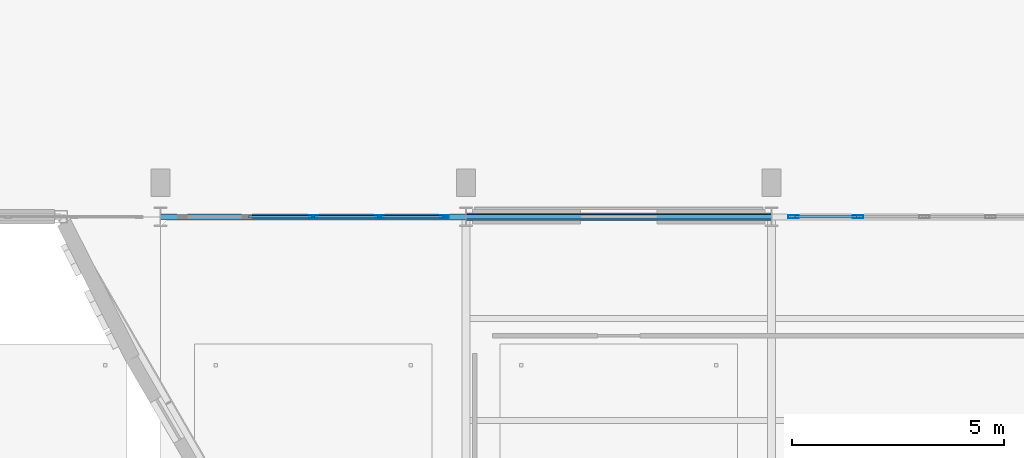
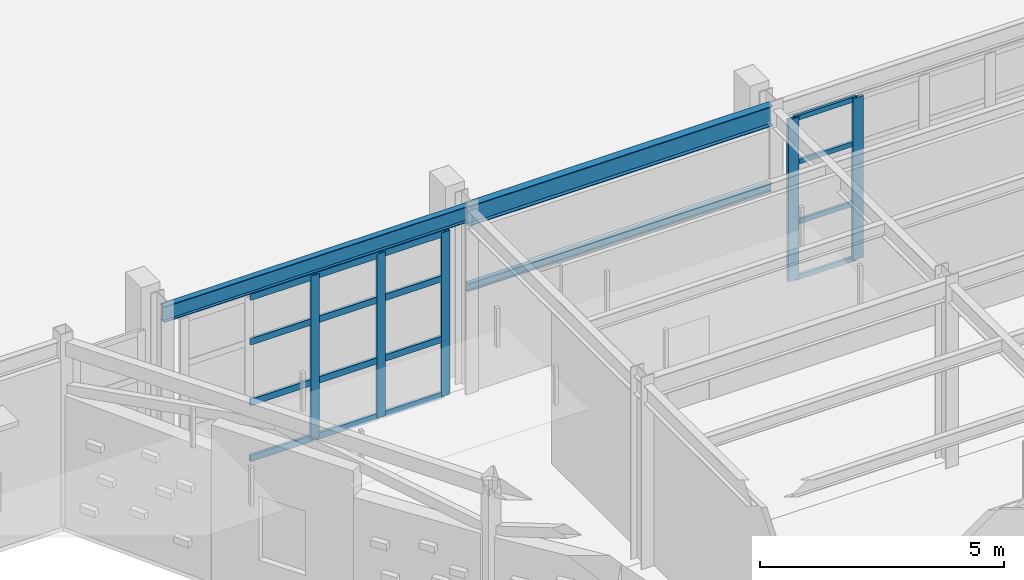
# One storey, part 25 of 83: 21 members, 3 beams, 2 elements without a shape of their own.
"""IFC4 building model written with IfcOpenShell, lengths in metres."""

from ifc_helpers import new_model, si_unit, direction, frame, origin, origin_2d, place, context, subcontext, project, spatial, hollow_rectangle, i_section, extrude, material, layer, layer_set, material_profile, profile_set, type_object, element, aggregate, save


model = new_model("IFC4")

# Units and contexts
model_context = context("Model", 3, precision=1e-05, world=origin(), true_north=direction((0.0, 1.0)))
body_context = subcontext(model_context, "Body", "Model", "MODEL_VIEW")
ifc_project = project(units=[si_unit("LENGTHUNIT", "METRE"), si_unit("AREAUNIT", "SQUARE_METRE"), si_unit("VOLUMEUNIT", "CUBIC_METRE"), si_unit("PLANEANGLEUNIT", "RADIAN"), si_unit("MASSUNIT", "GRAM", prefix="KILO")], contexts=[model_context])

# Site, building, storey
site_placement = place(None, origin())
site = spatial("IfcSite", under=ifc_project, at=site_placement, CompositionType="ELEMENT")
building_placement = place(site_placement, origin())
building = spatial("IfcBuilding", under=site, at=building_placement, Name="Solvadek Multi-Sports Hall", CompositionType="ELEMENT")
storey_placement = place(building_placement, origin())
storey = spatial("IfcBuildingStorey", under=building, at=storey_placement, Name="L00", CompositionType="ELEMENT", Elevation=0.0)

# Curtain wall, members
ifc_material_1 = material(Name="Anodised aluminium", Category="aluminium")
ifc_layer_1 = layer(ifc_material_1, 0.159912109375, Name="Anodised aluminium")
ifc_layer_set_1 = layer_set([ifc_layer_1], Name="Anodised aluminium")
curtain_wall_type_1 = type_object("IfcCurtainWallType", Name="ENV-CW-624X410", PredefinedType="USERDEFINED", material=ifc_layer_set_1)
curtain_wall_1_placement = place(storey_placement, origin())
curtain_wall_1 = element("IfcCurtainWall", 1, at=curtain_wall_1_placement, inside=storey, type_object=curtain_wall_type_1, Name="L00 Perimeter Bay Curtain Wall #158", ObjectType="CURTAIN WALL", PredefinedType="USERDEFINED")
ifc_material_profile_1 = material_profile(ifc_material_1, hollow_rectangle(XDim=0.06494140625, YDim=0.199951171875, WallThickness=0.0048828125, at=origin_2d()), Name="ALU-M 200x65x5")
ifc_profile_set_1 = profile_set([ifc_material_profile_1], Name="Anodised aluminium")
member_type_1 = type_object("IfcMemberType", Name="ENV-CWM-03", PredefinedType="MULLION", material=ifc_profile_set_1)
member_1_placement = place(storey_placement, frame((32.39990234375, 20.39990234375, 0.0), z_axis=(0.0, 0.0, 1.0), x_axis=(0.0, 1.0, 0.0)))
member_1 = element("IfcMember", 2, at=member_1_placement, type_object=member_type_1, Name="CW-39 mullion 3", PredefinedType="MULLION", context=body_context, shape_type="SweptSolid", body=[
    extrude(hollow_rectangle(XDim=0.06494140625, YDim=0.199951171875, WallThickness=0.0048828125, at=origin_2d()), origin(), (0.0, 0.0, 1.0), 4.10009765625),
])
member_2_placement = place(storey_placement, frame((33.9599609375, 20.39990234375, 0.0), z_axis=(0.0, 0.0, 1.0), x_axis=(0.0, 1.0, 0.0)))
member_2 = element("IfcMember", 3, at=member_2_placement, type_object=member_type_1, Name="CW-39 mullion 4", PredefinedType="MULLION", context=body_context, shape_type="SweptSolid", body=[
    extrude(hollow_rectangle(XDim=0.06494140625, YDim=0.199951171875, WallThickness=0.0048828125, at=origin_2d()), origin(), (0.0, 0.0, 1.0), 4.10009765625),
])
member_3_placement = place(storey_placement, frame((35.487548828125, 20.39990234375, 0.0), z_axis=(0.0, 0.0, 1.0), x_axis=(0.0, 1.0, 0.0)))
member_3 = element("IfcMember", 4, at=member_3_placement, type_object=member_type_1, Name="CW-39 mullion 5", PredefinedType="MULLION", context=body_context, shape_type="SweptSolid", body=[
    extrude(hollow_rectangle(XDim=0.06494140625, YDim=0.199951171875, WallThickness=0.0048828125, at=origin_2d()), origin(), (0.0, 0.0, 1.0), 4.10009765625),
])

ifc_layer_2 = layer(ifc_material_1, 0.159912109375, Name="Anodised aluminium")
ifc_layer_set_2 = layer_set([ifc_layer_2], Name="Anodised aluminium")
curtain_wall_type_2 = type_object("IfcCurtainWallType", Name="ENV-CW-624X405", PredefinedType="USERDEFINED", material=ifc_layer_set_2)
curtain_wall_2_placement = place(storey_placement, origin())
curtain_wall_2 = element("IfcCurtainWall", 5, at=curtain_wall_2_placement, inside=storey, type_object=curtain_wall_type_2, Name="L00 Perimeter Bay Curtain Wall #168", ObjectType="CURTAIN WALL", PredefinedType="USERDEFINED")
ifc_material_profile_2 = material_profile(ifc_material_1, hollow_rectangle(XDim=0.070068359375, YDim=0.25, WallThickness=0.0048828125, at=origin_2d()), Name="ALU-M 250x70x5")
ifc_profile_set_2 = profile_set([ifc_material_profile_2], Name="Anodised aluminium")
member_type_2 = type_object("IfcMemberType", Name="ENV-CWM-05", PredefinedType="MULLION", material=ifc_profile_set_2)
member_4_placement = place(storey_placement, frame((43.715087890625, 20.39990234375, 0.0), z_axis=(0.0, 0.0, 1.0), x_axis=(0.0, 1.0, 0.0)))
member_4 = element("IfcMember", 6, at=member_4_placement, type_object=member_type_2, Name="CW-52 mullion 1", PredefinedType="MULLION", context=body_context, shape_type="SweptSolid", body=[
    extrude(hollow_rectangle(XDim=0.070068359375, YDim=0.25, WallThickness=0.0048828125, at=origin_2d()), origin(), (0.0, 0.0, 1.0), 4.050048828125),
])
member_5_placement = place(storey_placement, frame((45.239990234375, 20.39990234375, 0.0), z_axis=(0.0, 0.0, 1.0), x_axis=(0.0, 1.0, 0.0)))
member_5 = element("IfcMember", 7, at=member_5_placement, type_object=member_type_2, Name="CW-52 mullion 2", PredefinedType="MULLION", context=body_context, shape_type="SweptSolid", body=[
    extrude(hollow_rectangle(XDim=0.070068359375, YDim=0.25, WallThickness=0.0048828125, at=origin_2d()), origin(), (0.0, 0.0, 1.0), 4.050048828125),
])
ifc_material_profile_3 = material_profile(ifc_material_1, hollow_rectangle(XDim=0.06005859375, YDim=0.1201171875, WallThickness=0.00390625, at=origin_2d()), Name="ALU-T 120x60x4")
ifc_profile_set_3 = profile_set([ifc_material_profile_3], Name="Anodised aluminium")
member_type_3 = type_object("IfcMemberType", Name="ENV-CWT-01", PredefinedType="USERDEFINED", material=ifc_profile_set_3)
member_6_placement = place(storey_placement, frame((43.75, 20.39990234375, 0.030029296875), z_axis=(1.0, 0.0, 0.0), x_axis=(0.0, 1.0, 0.0)))
member_6 = element("IfcMember", 8, at=member_6_placement, type_object=member_type_3, Name="CW-52 transom 1.1", ObjectType="TRANSOM", PredefinedType="USERDEFINED", context=body_context, shape_type="SweptSolid", body=[
    extrude(hollow_rectangle(XDim=0.06005859375, YDim=0.1201171875, WallThickness=0.00390625, at=origin_2d()), origin(), (0.0, 0.0, 1.0), 1.455078125),
])
member_7_placement = place(storey_placement, frame((43.75, 20.39990234375, 1.4169921875), z_axis=(1.0, 0.0, 0.0), x_axis=(0.0, 1.0, 0.0)))
member_7 = element("IfcMember", 9, at=member_7_placement, type_object=member_type_3, Name="CW-52 transom 1.2", ObjectType="TRANSOM", PredefinedType="USERDEFINED", context=body_context, shape_type="SweptSolid", body=[
    extrude(hollow_rectangle(XDim=0.06005859375, YDim=0.1201171875, WallThickness=0.00390625, at=origin_2d()), origin(), (0.0, 0.0, 1.0), 1.455078125),
])
member_8_placement = place(storey_placement, frame((43.75, 20.39990234375, 2.916015625), z_axis=(1.0, 0.0, 0.0), x_axis=(0.0, 1.0, 0.0)))
member_8 = element("IfcMember", 10, at=member_8_placement, type_object=member_type_3, Name="CW-52 transom 1.3", ObjectType="TRANSOM", PredefinedType="USERDEFINED", context=body_context, shape_type="SweptSolid", body=[
    extrude(hollow_rectangle(XDim=0.06005859375, YDim=0.1201171875, WallThickness=0.00390625, at=origin_2d()), origin(), (0.0, 0.0, 1.0), 1.455078125),
])
member_9_placement = place(storey_placement, frame((43.75, 20.39990234375, 4.02001953125), z_axis=(1.0, 0.0, 0.0), x_axis=(0.0, 1.0, 0.0)))
member_9 = element("IfcMember", 11, at=member_9_placement, type_object=member_type_3, Name="CW-52 transom 1.4", ObjectType="TRANSOM", PredefinedType="USERDEFINED", context=body_context, shape_type="SweptSolid", body=[
    extrude(hollow_rectangle(XDim=0.06005859375, YDim=0.1201171875, WallThickness=0.00390625, at=origin_2d()), origin(), (0.0, 0.0, 1.0), 1.455078125),
])
aggregate(curtain_wall_2, [member_4, member_5, member_6, member_7, member_8, member_9])

# Member
ifc_material_profile_4 = material_profile(ifc_material_1, hollow_rectangle(XDim=0.06494140625, YDim=0.159912109375, WallThickness=0.00390625, at=origin_2d()), Name="ALU-T 160x65x4")
ifc_profile_set_4 = profile_set([ifc_material_profile_4], Name="Anodised aluminium")
member_type_4 = type_object("IfcMemberType", Name="ENV-CWT-03", PredefinedType="USERDEFINED", material=ifc_profile_set_4)
member_10_placement = place(storey_placement, frame((30.87255859375, 20.39990234375, 0.032470703125), z_axis=(1.0, 0.0, 0.0), x_axis=(0.0, 1.0, 0.0)))
member_10 = element("IfcMember", 12, at=member_10_placement, type_object=member_type_4, Name="CW-39 transom 2.1", ObjectType="TRANSOM", PredefinedType="USERDEFINED", context=body_context, shape_type="SweptSolid", body=[
    extrude(hollow_rectangle(XDim=0.06494140625, YDim=0.159912109375, WallThickness=0.00390625, at=origin_2d()), origin(), (0.0, 0.0, 1.0), 1.494873046875),
])

member_11_placement = place(storey_placement, frame((30.87255859375, 20.39990234375, 1.43505859375), z_axis=(1.0, 0.0, 0.0), x_axis=(0.0, 1.0, 0.0)))
member_11 = element("IfcMember", 13, at=member_11_placement, type_object=member_type_4, Name="CW-39 transom 2.2", ObjectType="TRANSOM", PredefinedType="USERDEFINED", context=body_context, shape_type="SweptSolid", body=[
    extrude(hollow_rectangle(XDim=0.06494140625, YDim=0.159912109375, WallThickness=0.00390625, at=origin_2d()), origin(), (0.0, 0.0, 1.0), 1.494873046875),
])

member_12_placement = place(storey_placement, frame((30.87255859375, 20.39990234375, 2.951904296875), z_axis=(1.0, 0.0, 0.0), x_axis=(0.0, 1.0, 0.0)))
member_12 = element("IfcMember", 14, at=member_12_placement, type_object=member_type_4, Name="CW-39 transom 2.3", ObjectType="TRANSOM", PredefinedType="USERDEFINED", context=body_context, shape_type="SweptSolid", body=[
    extrude(hollow_rectangle(XDim=0.06494140625, YDim=0.159912109375, WallThickness=0.00390625, at=origin_2d()), origin(), (0.0, 0.0, 1.0), 1.494873046875),
])

member_13_placement = place(storey_placement, frame((30.87255859375, 20.39990234375, 4.0673828125), z_axis=(1.0, 0.0, 0.0), x_axis=(0.0, 1.0, 0.0)))
member_13 = element("IfcMember", 15, at=member_13_placement, type_object=member_type_4, Name="CW-39 transom 2.4", ObjectType="TRANSOM", PredefinedType="USERDEFINED", context=body_context, shape_type="SweptSolid", body=[
    extrude(hollow_rectangle(XDim=0.06494140625, YDim=0.159912109375, WallThickness=0.00390625, at=origin_2d()), origin(), (0.0, 0.0, 1.0), 1.494873046875),
])

member_14_placement = place(storey_placement, frame((32.4326171875, 20.39990234375, 0.032470703125), z_axis=(1.0, 0.0, 0.0), x_axis=(0.0, 1.0, 0.0)))
member_14 = element("IfcMember", 16, at=member_14_placement, type_object=member_type_4, Name="CW-39 transom 3.1", ObjectType="TRANSOM", PredefinedType="USERDEFINED", context=body_context, shape_type="SweptSolid", body=[
    extrude(hollow_rectangle(XDim=0.06494140625, YDim=0.159912109375, WallThickness=0.00390625, at=origin_2d()), origin(), (0.0, 0.0, 1.0), 1.494873046875),
])

member_15_placement = place(storey_placement, frame((32.4326171875, 20.39990234375, 1.43505859375), z_axis=(1.0, 0.0, 0.0), x_axis=(0.0, 1.0, 0.0)))
member_15 = element("IfcMember", 17, at=member_15_placement, type_object=member_type_4, Name="CW-39 transom 3.2", ObjectType="TRANSOM", PredefinedType="USERDEFINED", context=body_context, shape_type="SweptSolid", body=[
    extrude(hollow_rectangle(XDim=0.06494140625, YDim=0.159912109375, WallThickness=0.00390625, at=origin_2d()), origin(), (0.0, 0.0, 1.0), 1.494873046875),
])

member_16_placement = place(storey_placement, frame((32.4326171875, 20.39990234375, 2.951904296875), z_axis=(1.0, 0.0, 0.0), x_axis=(0.0, 1.0, 0.0)))
member_16 = element("IfcMember", 18, at=member_16_placement, type_object=member_type_4, Name="CW-39 transom 3.3", ObjectType="TRANSOM", PredefinedType="USERDEFINED", context=body_context, shape_type="SweptSolid", body=[
    extrude(hollow_rectangle(XDim=0.06494140625, YDim=0.159912109375, WallThickness=0.00390625, at=origin_2d()), origin(), (0.0, 0.0, 1.0), 1.494873046875),
])

member_17_placement = place(storey_placement, frame((32.4326171875, 20.39990234375, 4.0673828125), z_axis=(1.0, 0.0, 0.0), x_axis=(0.0, 1.0, 0.0)))
member_17 = element("IfcMember", 19, at=member_17_placement, type_object=member_type_4, Name="CW-39 transom 3.4", ObjectType="TRANSOM", PredefinedType="USERDEFINED", context=body_context, shape_type="SweptSolid", body=[
    extrude(hollow_rectangle(XDim=0.06494140625, YDim=0.159912109375, WallThickness=0.00390625, at=origin_2d()), origin(), (0.0, 0.0, 1.0), 1.494873046875),
])

member_18_placement = place(storey_placement, frame((33.992431640625, 20.39990234375, 0.032470703125), z_axis=(1.0, 0.0, 0.0), x_axis=(0.0, 1.0, 0.0)))
member_18 = element("IfcMember", 20, at=member_18_placement, type_object=member_type_4, Name="CW-39 transom 4.1", ObjectType="TRANSOM", PredefinedType="USERDEFINED", context=body_context, shape_type="SweptSolid", body=[
    extrude(hollow_rectangle(XDim=0.06494140625, YDim=0.159912109375, WallThickness=0.00390625, at=origin_2d()), origin(), (0.0, 0.0, 1.0), 1.462646484375),
])

member_19_placement = place(storey_placement, frame((33.992431640625, 20.39990234375, 1.43505859375), z_axis=(1.0, 0.0, 0.0), x_axis=(0.0, 1.0, 0.0)))
member_19 = element("IfcMember", 21, at=member_19_placement, type_object=member_type_4, Name="CW-39 transom 4.2", ObjectType="TRANSOM", PredefinedType="USERDEFINED", context=body_context, shape_type="SweptSolid", body=[
    extrude(hollow_rectangle(XDim=0.06494140625, YDim=0.159912109375, WallThickness=0.00390625, at=origin_2d()), origin(), (0.0, 0.0, 1.0), 1.462646484375),
])

member_20_placement = place(storey_placement, frame((33.992431640625, 20.39990234375, 2.951904296875), z_axis=(1.0, 0.0, 0.0), x_axis=(0.0, 1.0, 0.0)))
member_20 = element("IfcMember", 22, at=member_20_placement, type_object=member_type_4, Name="CW-39 transom 4.3", ObjectType="TRANSOM", PredefinedType="USERDEFINED", context=body_context, shape_type="SweptSolid", body=[
    extrude(hollow_rectangle(XDim=0.06494140625, YDim=0.159912109375, WallThickness=0.00390625, at=origin_2d()), origin(), (0.0, 0.0, 1.0), 1.462646484375),
])

member_21_placement = place(storey_placement, frame((33.992431640625, 20.39990234375, 4.0673828125), z_axis=(1.0, 0.0, 0.0), x_axis=(0.0, 1.0, 0.0)))
member_21 = element("IfcMember", 23, at=member_21_placement, type_object=member_type_4, Name="CW-39 transom 4.4", ObjectType="TRANSOM", PredefinedType="USERDEFINED", context=body_context, shape_type="SweptSolid", body=[
    extrude(hollow_rectangle(XDim=0.06494140625, YDim=0.159912109375, WallThickness=0.00390625, at=origin_2d()), origin(), (0.0, 0.0, 1.0), 1.462646484375),
])

aggregate(curtain_wall_1, [member_1, member_2, member_3, member_10, member_11, member_12, member_13, member_14, member_15, member_16, member_17, member_18, member_19, member_20, member_21])

# Beams
ifc_material_2 = material(Name="Steel E350 (350 MPa)", Category="steel")
ifc_material_profile_5 = material_profile(ifc_material_2, i_section(OverallWidth=0.139892578125, OverallDepth=0.39990234375, WebThickness=0.0087890625, FlangeThickness=0.01611328125, at=origin_2d()), Name="ISMB 400")
ifc_profile_set_5 = profile_set([ifc_material_profile_5], Name="Steel E350 (350 MPa)")
beam_type_1 = type_object("IfcBeamType", Name="STR-BM-ISMB400", PredefinedType="BEAM", material=ifc_profile_set_5)
beam_1_placement = place(storey_placement, frame((28.800048828125, 20.39990234375, 4.3798828125), z_axis=(1.0, 0.0, 0.0), x_axis=(0.0, 1.0, 0.0)))
element("IfcBeam", 24, at=beam_1_placement, inside=storey, type_object=beam_type_1, Name="L00 Girder B-10 #560", PredefinedType="BEAM", context=body_context, shape_type="SweptSolid", body=[
    extrude(i_section(OverallWidth=0.139892578125, OverallDepth=0.39990234375, WebThickness=0.0087890625, FlangeThickness=0.01611328125, at=origin_2d()), origin(), (0.0, 0.0, 1.0), 7.199951171875),
])
ifc_material_profile_6 = material_profile(ifc_material_2, i_section(OverallWidth=0.179931640625, OverallDepth=0.5, WebThickness=0.01025390625, FlangeThickness=0.01708984375, at=origin_2d()), Name="ISMB 500")
ifc_profile_set_6 = profile_set([ifc_material_profile_6], Name="Steel E350 (350 MPa)")
beam_type_2 = type_object("IfcBeamType", Name="STR-BM-ISMB500", PredefinedType="BEAM", material=ifc_profile_set_6)
beam_2_placement = place(storey_placement, frame((36.0, 20.39990234375, 4.330078125), z_axis=(1.0, 0.0, 0.0), x_axis=(0.0, 1.0, 0.0)))
element("IfcBeam", 25, at=beam_2_placement, inside=storey, type_object=beam_type_2, Name="L00 Girder B-07 #561", PredefinedType="BEAM", context=body_context, shape_type="SweptSolid", body=[
    extrude(i_section(OverallWidth=0.179931640625, OverallDepth=0.5, WebThickness=0.01025390625, FlangeThickness=0.01708984375, at=origin_2d()), origin(), (0.0, 0.0, 1.0), 7.199951171875),
])
ifc_material_3 = material(Name="Steel E250 (250 MPa)", Category="steel")
ifc_material_profile_7 = material_profile(ifc_material_3, i_section(OverallWidth=0.10009765625, OverallDepth=0.199951171875, WebThickness=0.005615234375, FlangeThickness=0.0107421875, at=origin_2d()), Name="ISMB 200")
ifc_profile_set_7 = profile_set([ifc_material_profile_7], Name="Steel E250 (250 MPa)")
beam_type_3 = type_object("IfcBeamType", Name="STR-LIN-ISMB200", PredefinedType="LINTEL", material=ifc_profile_set_7)
beam_3_placement = place(storey_placement, frame((36.0, 20.39990234375, 2.52001953125), z_axis=(1.0, 0.0, 0.0), x_axis=(0.0, 1.0, 0.0)))
element("IfcBeam", 26, at=beam_3_placement, inside=storey, type_object=beam_type_3, Name="L00 Opening Lintel #19", PredefinedType="LINTEL", context=body_context, shape_type="SweptSolid", body=[
    extrude(i_section(OverallWidth=0.10009765625, OverallDepth=0.199951171875, WebThickness=0.005615234375, FlangeThickness=0.0107421875, at=origin_2d()), origin(), (0.0, 0.0, 1.0), 7.199951171875),
])

save(model, "model.ifc")
